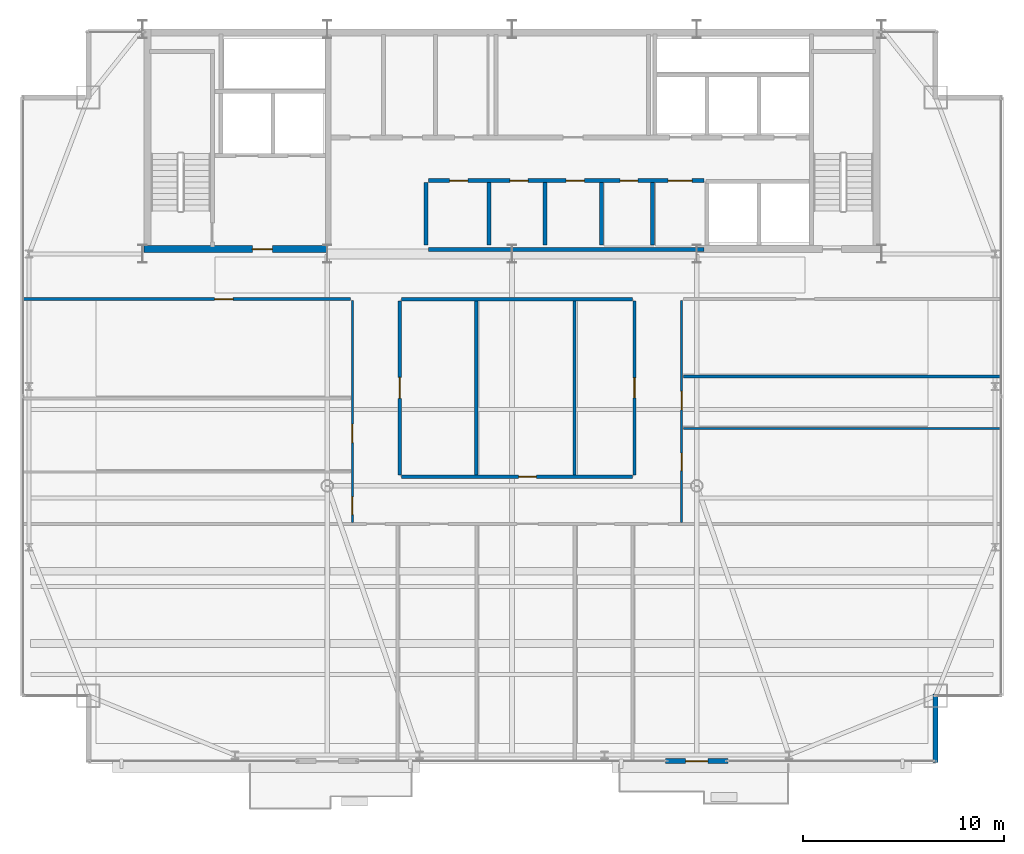
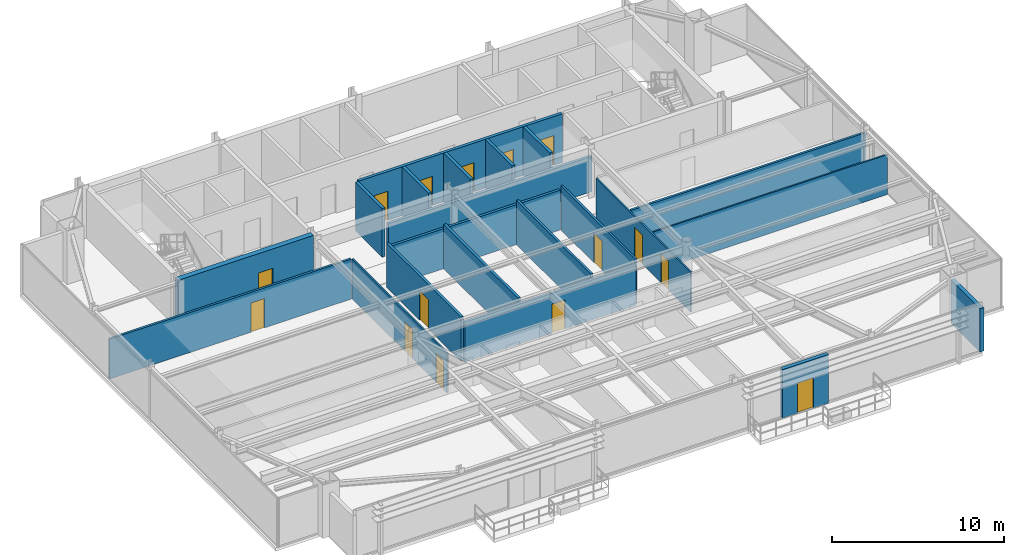
# One storey, part 24 of 28: 21 walls, 15 doors, 15 openings.
"""IFC4 building model written with IfcOpenShell, lengths in metres."""

from ifc_helpers import new_model, si_unit, direction, frame, frame_2d, origin, place, context, subcontext, project, spatial, rectangle, extrude, source, transform, mapped, material, layer, layer_set, type_object, type_shapes, element, fill, save


model = new_model("IFC4")

# Units and contexts
model_context = context("Model", 3, precision=1e-05, world=origin(), true_north=direction((0.0, 1.0)))
body_context = subcontext(model_context, "Body", "Model", "MODEL_VIEW")
ifc_project = project(units=[si_unit("LENGTHUNIT", "METRE"), si_unit("AREAUNIT", "SQUARE_METRE"), si_unit("VOLUMEUNIT", "CUBIC_METRE"), si_unit("PLANEANGLEUNIT", "RADIAN"), si_unit("MASSUNIT", "GRAM", prefix="KILO")], contexts=[model_context])

# Site, building, storey
site_placement = place(None, origin())
site = spatial("IfcSite", under=ifc_project, at=site_placement, CompositionType="ELEMENT")
building_placement = place(site_placement, origin())
building = spatial("IfcBuilding", under=site, at=building_placement, Name="Varnel Quay Broadcast Tower", CompositionType="ELEMENT")
storey_placement = place(building_placement, frame((0.0, 0.0, 230.199951171875)))
storey = spatial("IfcBuildingStorey", under=building, at=storey_placement, Name="L57", CompositionType="ELEMENT", Elevation=230.199951171875)

# Wall, opening, door
ifc_material_1 = material(Name="Concrete CSA A23.3 C50/60", Category="concrete")
ifc_layer_1 = layer(ifc_material_1, 0.35009765625, Name="Concrete CSA A23.3 C50/60")
ifc_layer_set_1 = layer_set([ifc_layer_1], Name="Concrete CSA A23.3 C50/60")
wall_type_1 = type_object("IfcWallType", Name="Wall_CoreShearInt350", PredefinedType="SHEAR", material=ifc_layer_set_1)
wall_1_placement = place(storey_placement, frame((15.669921875, 35.844970703125, 0.0), z_axis=(0.0, 0.0, 1.0), x_axis=(1.0, 0.0, 0.0)))
wall_1 = element("IfcWall", 1, at=wall_1_placement, inside=storey, type_object=wall_type_1, Name="L57 South-West Core Shear Wall", PredefinedType="SHEAR", context=body_context, shape_type="SweptSolid", body=[
    extrude(rectangle(XDim=9.130126953125, YDim=0.35009765625, at=frame_2d((4.56494140625, 0.0))), origin(), (0.0, 0.0, 1.0), 3.47998046875),
])
opening_1_placement = place(wall_1_placement, frame((5.39990234375, 0.0, 0.0)))
opening_1 = element("IfcOpeningElement", 2, at=opening_1_placement, cuts=wall_1, Name="Opening D-L57-FFL", PredefinedType="OPENING", context=body_context, shape_type="SweptSolid", body=[
    extrude(rectangle(XDim=1.0, YDim=2.10009765625, at=frame_2d((0.5, 1.050048828125))), frame((0.0, 0.18505859375, 0.0), z_axis=(0.0, -1.0, 0.0), x_axis=(1.0, 0.0, 0.0)), (0.0, 0.0, 1.0), 0.3701171875),
])
ifc_material_2 = material(Name="Insulated Fire-Rated Hollow Steel Door", Category="steel")
door_type_1 = type_object("IfcDoorType", Name="Door_FireLobby1000", OperationType="NOTDEFINED", PredefinedType="DOOR", material=ifc_material_2)
shared_shape_1 = source(origin(), body_context, "Body", "SweptSolid", [
    extrude(rectangle(XDim=1.0, YDim=2.10009765625, at=frame_2d((0.5, 1.050048828125))), frame((0.0, 0.02490234375, 0.0), z_axis=(0.0, -1.0, 0.0), x_axis=(1.0, 0.0, 0.0)), (0.0, 0.0, 1.0), 0.050048828125),
])
type_shapes(door_type_1, [shared_shape_1])
door_1_placement = place(opening_1_placement, origin())
door_1 = element("IfcDoor", 3, at=door_1_placement, inside=storey, type_object=door_type_1, Name="L57 Firefighting Lobby Door", OperationType="SINGLE_SWING_LEFT", OverallHeight=2.10009765625, OverallWidth=1.0, PredefinedType="DOOR", context=body_context, shape_type="MappedRepresentation", body=[
    mapped(shared_shape_1, transform((0.0, 0.0, 0.0), x_axis=(1.0, 0.0, 0.0), y_axis=(0.0, 1.0, 0.0), z_axis=(0.0, 0.0, 1.0), scale=1.0)),
])
fill(opening_1, door_1)

ifc_material_3 = material(Name="Precast Architectural Concrete C40/50", Category="concrete")
ifc_layer_2 = layer(ifc_material_3, 0.25, Name="Precast Architectural Concrete C40/50")
ifc_layer_set_2 = layer_set([ifc_layer_2], Name="Precast Architectural Concrete C40/50")
wall_type_2 = type_object("IfcWallType", Name="Wall_ExtTerrace250", PredefinedType="SOLIDWALL", material=ifc_layer_set_2)
wall_2_placement = place(storey_placement, frame((41.64990234375, 10.35009765625, 0.0), z_axis=(0.0, 0.0, 1.0), x_axis=(1.0, 0.0, 0.0)))
wall_2 = element("IfcWall", 4, at=wall_2_placement, inside=storey, type_object=wall_type_2, Name="L57 Terrace Access Wall 2", PredefinedType="SOLIDWALL", context=body_context, shape_type="SweptSolid", body=[
    extrude(rectangle(XDim=3.10009765625, YDim=0.25, at=frame_2d((1.550048828125, 0.0))), origin(), (0.0, 0.0, 1.0), 3.4599609375),
])
opening_2_placement = place(wall_2_placement, frame((1.0, 0.0, 0.0)))
opening_2 = element("IfcOpeningElement", 5, at=opening_2_placement, cuts=wall_2, Name="Opening TD-572", PredefinedType="OPENING", context=body_context, shape_type="SweptSolid", body=[
    extrude(rectangle(XDim=1.10009765625, YDim=2.14990234375, at=frame_2d((0.550048828125, 1.074951171875))), frame((0.0, 0.135009765625, 0.0), z_axis=(0.0, -1.0, 0.0), x_axis=(1.0, 0.0, 0.0)), (0.0, 0.0, 1.0), 0.27001953125),
])
ifc_material_4 = material(Name="Anodised Bronze Aluminium 6063-T6", Category="aluminium")
door_type_2 = type_object("IfcDoorType", Name="Door_ExtTerrace1100", OperationType="NOTDEFINED", PredefinedType="DOOR", material=ifc_material_4)
shared_shape_2 = source(origin(), body_context, "Body", "SweptSolid", [
    extrude(rectangle(XDim=1.10009765625, YDim=2.14990234375, at=frame_2d((0.550048828125, 1.074951171875))), frame((0.0, 0.02490234375, 0.0), z_axis=(0.0, -1.0, 0.0), x_axis=(1.0, 0.0, 0.0)), (0.0, 0.0, 1.0), 0.050048828125),
])
type_shapes(door_type_2, [shared_shape_2])
door_2_placement = place(opening_2_placement, frame((1.10009765625, 0.0, 0.0), z_axis=(0.0, 0.0, 1.0), x_axis=(-1.0, 0.0, 0.0)))
door_2 = element("IfcDoor", 6, at=door_2_placement, inside=storey, type_object=door_type_2, Name="L57 Terrace Door TD-572", OperationType="SINGLE_SWING_RIGHT", OverallHeight=2.14990234375, OverallWidth=1.10009765625, PredefinedType="DOOR", context=body_context, shape_type="MappedRepresentation", body=[
    mapped(shared_shape_2, transform((0.0, 0.0, 0.0), x_axis=(1.0, 0.0, 0.0), y_axis=(0.0, 1.0, 0.0), z_axis=(0.0, 0.0, 1.0), scale=1.0)),
])
fill(opening_2, door_2)

# Walls
wall_3_placement = place(storey_placement, frame((55.10009765625, 10.280029296875, 0.0), z_axis=(0.0, 0.0, 1.0), x_axis=(0.0, 1.0, 0.0)))
element("IfcWall", 7, at=wall_3_placement, inside=storey, type_object=wall_type_2, Name="L57 Mega-Column Notch Cladding Wall NSE2", PredefinedType="SOLIDWALL", context=body_context, shape_type="SweptSolid", body=[
    extrude(rectangle(XDim=3.39990234375, YDim=0.25, at=frame_2d((1.699951171875, 0.0))), origin(), (0.0, 0.0, 1.0), 3.10107421875),
])
ifc_material_5 = material(Name="Concrete Blockwork Fire Enclosure C40/50", Category="masonry")
ifc_layer_3 = layer(ifc_material_5, 0.199951171875, Name="Concrete Blockwork Fire Enclosure C40/50")
ifc_layer_set_3 = layer_set([ifc_layer_3], Name="Concrete Blockwork Fire Enclosure C40/50")
wall_type_3 = type_object("IfcWallType", Name="Wall_FireShaft200", PredefinedType="SOLIDWALL", material=ifc_layer_set_3)
wall_4_placement = place(storey_placement, frame((29.85009765625, 35.824951171875, 0.0), z_axis=(0.0, 0.0, 1.0), x_axis=(1.0, 0.0, 0.0)))
element("IfcWall", 8, at=wall_4_placement, inside=storey, type_object=wall_type_3, Name="L57 Accessible Washroom Partition 1", PredefinedType="SOLIDWALL", context=body_context, shape_type="SweptSolid", body=[
    extrude(rectangle(XDim=13.699951171875, YDim=0.199951171875, at=frame_2d((6.85009765625, 0.0))), origin(), (0.0, 0.0, 1.0), 2.505126953125),
])

# Wall, openings, doors
wall_5_placement = place(storey_placement, frame((29.85009765625, 39.25, 0.0), z_axis=(0.0, 0.0, 1.0), x_axis=(1.0, 0.0, 0.0)))
wall_5 = element("IfcWall", 9, at=wall_5_placement, inside=storey, type_object=wall_type_3, Name="L57 Accessible Washroom Partition 3", PredefinedType="SOLIDWALL", context=body_context, shape_type="SweptSolid", body=[
    extrude(rectangle(XDim=13.699951171875, YDim=0.199951171875, at=frame_2d((6.85009765625, 0.0))), origin(), (0.0, 0.0, 1.0), 3.4599609375),
])
opening_3_placement = place(wall_5_placement, frame((1.050048828125, 0.0, 0.0)))
opening_3 = element("IfcOpeningElement", 10, at=opening_3_placement, cuts=wall_5, Name="Opening D-L57-01", PredefinedType="OPENING", context=body_context, shape_type="SweptSolid", body=[
    extrude(rectangle(XDim=0.89990234375, YDim=2.06005859375, at=frame_2d((0.449951171875, 1.030029296875))), frame((0.0, 0.10986328125, 0.0), z_axis=(0.0, -1.0, 0.0), x_axis=(1.0, 0.0, 0.0)), (0.0, 0.0, 1.0), 0.219970703125),
])
opening_4_placement = place(wall_5_placement, frame((4.050048828125, 0.0, 0.0)))
opening_4 = element("IfcOpeningElement", 11, at=opening_4_placement, cuts=wall_5, Name="Opening D-L57-02", PredefinedType="OPENING", context=body_context, shape_type="SweptSolid", body=[
    extrude(rectangle(XDim=0.89990234375, YDim=2.06005859375, at=frame_2d((0.449951171875, 1.030029296875))), frame((0.0, 0.10986328125, 0.0), z_axis=(0.0, -1.0, 0.0), x_axis=(1.0, 0.0, 0.0)), (0.0, 0.0, 1.0), 0.219970703125),
])
opening_5_placement = place(wall_5_placement, frame((6.85009765625, 0.0, 0.0)))
opening_5 = element("IfcOpeningElement", 12, at=opening_5_placement, cuts=wall_5, Name="Opening D-L57-03", PredefinedType="OPENING", context=body_context, shape_type="SweptSolid", body=[
    extrude(rectangle(XDim=0.89990234375, YDim=2.06005859375, at=frame_2d((0.449951171875, 1.030029296875))), frame((0.0, 0.10986328125, 0.0), z_axis=(0.0, -1.0, 0.0), x_axis=(1.0, 0.0, 0.0)), (0.0, 0.0, 1.0), 0.219970703125),
])
opening_6_placement = place(wall_5_placement, frame((9.534912109375, 0.0, 0.0)))
opening_6 = element("IfcOpeningElement", 13, at=opening_6_placement, cuts=wall_5, Name="Opening D-L57-04", PredefinedType="OPENING", context=body_context, shape_type="SweptSolid", body=[
    extrude(rectangle(XDim=0.8798828125, YDim=2.06005859375, at=frame_2d((0.43994140625, 1.030029296875))), frame((0.0, 0.10986328125, 0.0), z_axis=(0.0, -1.0, 0.0), x_axis=(1.0, 0.0, 0.0)), (0.0, 0.0, 1.0), 0.219970703125),
])
opening_7_placement = place(wall_5_placement, frame((11.925048828125, 0.0, 0.0)))
opening_7 = element("IfcOpeningElement", 14, at=opening_7_placement, cuts=wall_5, Name="Opening D-L57-05", PredefinedType="OPENING", context=body_context, shape_type="SweptSolid", body=[
    extrude(rectangle(XDim=1.199951171875, YDim=2.10009765625, at=frame_2d((0.60009765625, 1.050048828125))), frame((0.0, 0.10986328125, 0.0), z_axis=(0.0, -1.0, 0.0), x_axis=(1.0, 0.0, 0.0)), (0.0, 0.0, 1.0), 0.219970703125),
])
ifc_material_6 = material(Name="Solid-Core Fire-Rated Acoustic Oak Veneer Door", Category="wood")
door_type_3 = type_object("IfcDoorType", Name="Door_Washroom900", OperationType="NOTDEFINED", PredefinedType="DOOR", material=ifc_material_6)
shared_shape_3 = source(origin(), body_context, "Body", "SweptSolid", [
    extrude(rectangle(XDim=0.89990234375, YDim=2.06005859375, at=frame_2d((0.449951171875, 1.030029296875))), frame((0.0, 0.02490234375, 0.0), z_axis=(0.0, -1.0, 0.0), x_axis=(1.0, 0.0, 0.0)), (0.0, 0.0, 1.0), 0.050048828125),
])
type_shapes(door_type_3, [shared_shape_3])
door_3_placement = place(opening_3_placement, frame((0.89990234375, 0.0, 0.0), z_axis=(0.0, 0.0, 1.0), x_axis=(-1.0, 0.0, 0.0)))
door_3 = element("IfcDoor", 15, at=door_3_placement, inside=storey, type_object=door_type_3, Name="L57 Accessible Washroom Door D-L57-01", OperationType="SINGLE_SWING_LEFT", OverallHeight=2.06005859375, OverallWidth=0.89990234375, PredefinedType="DOOR", context=body_context, shape_type="MappedRepresentation", body=[
    mapped(shared_shape_3, transform((0.0, 0.0, 0.0), x_axis=(1.0, 0.0, 0.0), y_axis=(0.0, 1.0, 0.0), z_axis=(0.0, 0.0, 1.0), scale=1.0)),
])
fill(opening_3, door_3)
door_4_placement = place(opening_4_placement, frame((0.89990234375, 0.0, 0.0), z_axis=(0.0, 0.0, 1.0), x_axis=(-1.0, 0.0, 0.0)))
door_4 = element("IfcDoor", 16, at=door_4_placement, inside=storey, type_object=door_type_3, Name="L57 West Gender-Neutral Washroom Door D-L57-02", OperationType="SINGLE_SWING_RIGHT", OverallHeight=2.06005859375, OverallWidth=0.89990234375, PredefinedType="DOOR", context=body_context, shape_type="MappedRepresentation", body=[
    mapped(shared_shape_3, transform((0.0, 0.0, 0.0), x_axis=(1.0, 0.0, 0.0), y_axis=(0.0, 1.0, 0.0), z_axis=(0.0, 0.0, 1.0), scale=1.0)),
])
fill(opening_4, door_4)
door_5_placement = place(opening_5_placement, frame((0.89990234375, 0.0, 0.0), z_axis=(0.0, 0.0, 1.0), x_axis=(-1.0, 0.0, 0.0)))
door_5 = element("IfcDoor", 17, at=door_5_placement, inside=storey, type_object=door_type_3, Name="L57 East Staff Washroom Door D-L57-03", OperationType="SINGLE_SWING_LEFT", OverallHeight=2.06005859375, OverallWidth=0.89990234375, PredefinedType="DOOR", context=body_context, shape_type="MappedRepresentation", body=[
    mapped(shared_shape_3, transform((0.0, 0.0, 0.0), x_axis=(1.0, 0.0, 0.0), y_axis=(0.0, 1.0, 0.0), z_axis=(0.0, 0.0, 1.0), scale=1.0)),
])
fill(opening_5, door_5)
door_type_4 = type_object("IfcDoorType", Name="Door_Plant1200", OperationType="NOTDEFINED", PredefinedType="DOOR", material=ifc_material_2)
shared_shape_4 = source(origin(), body_context, "Body", "SweptSolid", [
    extrude(rectangle(XDim=1.199951171875, YDim=2.10009765625, at=frame_2d((0.60009765625, 1.050048828125))), frame((0.0, 0.02490234375, 0.0), z_axis=(0.0, -1.0, 0.0), x_axis=(1.0, 0.0, 0.0)), (0.0, 0.0, 1.0), 0.050048828125),
])
type_shapes(door_type_4, [shared_shape_4])
door_6_placement = place(opening_7_placement, origin())
door_6 = element("IfcDoor", 18, at=door_6_placement, inside=storey, type_object=door_type_4, Name="L57 Telecom IDF Closet Door D-L57-05", OperationType="SINGLE_SWING_LEFT", OverallHeight=2.10009765625, OverallWidth=1.199951171875, PredefinedType="DOOR", context=body_context, shape_type="MappedRepresentation", body=[
    mapped(shared_shape_4, transform((0.0, 0.0, 0.0), x_axis=(1.0, 0.0, 0.0), y_axis=(0.0, 1.0, 0.0), z_axis=(0.0, 0.0, 1.0), scale=1.0)),
])
fill(opening_7, door_6)
door_type_5 = type_object("IfcDoorType", Name="Door_Booth880", OperationType="NOTDEFINED", PredefinedType="DOOR", material=ifc_material_6)
shared_shape_5 = source(origin(), body_context, "Body", "SweptSolid", [
    extrude(rectangle(XDim=0.8798828125, YDim=2.06005859375, at=frame_2d((0.43994140625, 1.030029296875))), frame((0.0, 0.02490234375, 0.0), z_axis=(0.0, -1.0, 0.0), x_axis=(1.0, 0.0, 0.0)), (0.0, 0.0, 1.0), 0.050048828125),
])
type_shapes(door_type_5, [shared_shape_5])
door_7_placement = place(opening_6_placement, frame((0.8798828125, 0.0, 0.0), z_axis=(0.0, 0.0, 1.0), x_axis=(-1.0, 0.0, 0.0)))
door_7 = element("IfcDoor", 19, at=door_7_placement, inside=storey, type_object=door_type_5, Name="L57 Cleaners' & Linen Store Door D-L57-04", OperationType="SINGLE_SWING_RIGHT", OverallHeight=2.06005859375, OverallWidth=0.8798828125, PredefinedType="DOOR", context=body_context, shape_type="MappedRepresentation", body=[
    mapped(shared_shape_5, transform((0.0, 0.0, 0.0), x_axis=(1.0, 0.0, 0.0), y_axis=(0.0, 1.0, 0.0), z_axis=(0.0, 0.0, 1.0), scale=1.0)),
])
fill(opening_6, door_7)

# Wall
wall_6_placement = place(storey_placement, frame((41.0, 36.050048828125, 0.0), z_axis=(0.0, 0.0, 1.0), x_axis=(0.0, 1.0, 0.0)))
element("IfcWall", 20, at=wall_6_placement, inside=storey, type_object=wall_type_3, Name="L57 Cleaners' & Linen Store Partition 7", PredefinedType="SOLIDWALL", context=body_context, shape_type="SweptSolid", body=[
    extrude(rectangle(XDim=3.099853515625, YDim=0.199951171875, at=frame_2d((1.5498046875, 0.0))), origin(), (0.0, 0.0, 1.0), 3.4599609375),
])

# Wall, openings, doors
ifc_material_7 = material(Name="Steel-Stud Fire-Rated Acoustic Gypsum Partition Assembly", Category="steel")
ifc_layer_4 = layer(ifc_material_7, 0.10498046875, Name="Steel-Stud Fire-Rated Acoustic Gypsum Partition Assembly")
ifc_layer_set_4 = layer_set([ifc_layer_4], Name="Steel-Stud Fire-Rated Acoustic Gypsum Partition Assembly")
wall_type_4 = type_object("IfcWallType", Name="Wall_Partition105", PredefinedType="PARTITIONING", material=ifc_layer_set_4)
wall_7_placement = place(storey_placement, frame((26.050048828125, 22.235107421875, 0.0), z_axis=(0.0, 0.0, 1.0), x_axis=(0.0, 1.0, 0.0)))
wall_7 = element("IfcWall", 21, at=wall_7_placement, inside=storey, type_object=wall_type_4, Name="L57 Camera Locker Store 6 Partition 13", PredefinedType="PARTITIONING", context=body_context, shape_type="SweptSolid", body=[
    extrude(rectangle(XDim=11.039794921875, YDim=0.10498046875, at=frame_2d((5.52001953125, 0.0))), origin(), (0.0, 0.0, 1.0), 2.838134765625),
])
opening_8_placement = place(wall_7_placement, frame((0.385009765625, 0.0, 0.0)))
opening_8 = element("IfcOpeningElement", 22, at=opening_8_placement, cuts=wall_7, Name="Opening D-L57-11", PredefinedType="OPENING", context=body_context, shape_type="SweptSolid", body=[
    extrude(rectangle(XDim=0.8798828125, YDim=2.06005859375, at=frame_2d((0.43994140625, 1.030029296875))), frame((0.0, 0.0625, 0.0), z_axis=(0.0, -1.0, 0.0), x_axis=(1.0, 0.0, 0.0)), (0.0, 0.0, 1.0), 0.125),
])
opening_9_placement = place(wall_7_placement, frame((3.97509765625, 0.0, 0.0)))
opening_9 = element("IfcOpeningElement", 23, at=opening_9_placement, cuts=wall_7, Name="Opening D-L57-12", PredefinedType="OPENING", context=body_context, shape_type="SweptSolid", body=[
    extrude(rectangle(XDim=0.919921875, YDim=2.080078125, at=frame_2d((0.4599609375, 1.0400390625))), frame((0.0, 0.0625, 0.0), z_axis=(0.0, -1.0, 0.0), x_axis=(1.0, 0.0, 0.0)), (0.0, 0.0, 1.0), 0.125),
])
door_8_placement = place(opening_8_placement, origin())
door_8 = element("IfcDoor", 24, at=door_8_placement, inside=storey, type_object=door_type_5, Name="L57 Camera Locker Store 6 Door D-L57-11", OperationType="SINGLE_SWING_LEFT", OverallHeight=2.06005859375, OverallWidth=0.8798828125, PredefinedType="DOOR", context=body_context, shape_type="MappedRepresentation", body=[
    mapped(shared_shape_5, transform((0.0, 0.0, 0.0), x_axis=(1.0, 0.0, 0.0), y_axis=(0.0, 1.0, 0.0), z_axis=(0.0, 0.0, 1.0), scale=1.0)),
])
fill(opening_8, door_8)
door_type_6 = type_object("IfcDoorType", Name="Door_Office920", OperationType="NOTDEFINED", PredefinedType="DOOR", material=ifc_material_6)
shared_shape_6 = source(origin(), body_context, "Body", "SweptSolid", [
    extrude(rectangle(XDim=0.919921875, YDim=2.080078125, at=frame_2d((0.4599609375, 1.0400390625))), frame((0.0, 0.02490234375, 0.0), z_axis=(0.0, -1.0, 0.0), x_axis=(1.0, 0.0, 0.0)), (0.0, 0.0, 1.0), 0.050048828125),
])
type_shapes(door_type_6, [shared_shape_6])
door_9_placement = place(opening_9_placement, origin())
door_9 = element("IfcDoor", 25, at=door_9_placement, inside=storey, type_object=door_type_6, Name="L57 Broadcast Newsroom 7 Door D-L57-12", OperationType="SINGLE_SWING_RIGHT", OverallHeight=2.080078125, OverallWidth=0.919921875, PredefinedType="DOOR", context=body_context, shape_type="MappedRepresentation", body=[
    mapped(shared_shape_6, transform((0.0, 0.0, 0.0), x_axis=(1.0, 0.0, 0.0), y_axis=(0.0, 1.0, 0.0), z_axis=(0.0, 0.0, 1.0), scale=1.0)),
])
fill(opening_9, door_9)

# Wall
wall_8_placement = place(storey_placement, frame((42.550048828125, 26.909912109375, 0.0), z_axis=(0.0, 0.0, 1.0), x_axis=(1.0, 0.0, 0.0)))
element("IfcWall", 26, at=wall_8_placement, inside=storey, type_object=wall_type_4, Name="L57 Camera Locker Store 12 Partition 23", PredefinedType="PARTITIONING", context=body_context, shape_type="SweptSolid", body=[
    extrude(rectangle(XDim=15.77001953125, YDim=0.10498046875, at=frame_2d((7.885009765625, 0.0))), origin(), (0.0, 0.0, 1.0), 2.838134765625),
])

# Wall, openings, doors
wall_9_placement = place(storey_placement, frame((42.449951171875, 22.235107421875, 0.0), z_axis=(0.0, 0.0, 1.0), x_axis=(0.0, 1.0, 0.0)))
wall_9 = element("IfcWall", 27, at=wall_9_placement, inside=storey, type_object=wall_type_4, Name="L57 Camera Locker Store 12 Partition 24", PredefinedType="PARTITIONING", context=body_context, shape_type="SweptSolid", body=[
    extrude(rectangle(XDim=11.039794921875, YDim=0.10498046875, at=frame_2d((5.52001953125, 0.0))), origin(), (0.0, 0.0, 1.0), 2.838134765625),
])
opening_10_placement = place(wall_9_placement, frame((2.570068359375, 0.0, 0.0)))
opening_10 = element("IfcOpeningElement", 28, at=opening_10_placement, cuts=wall_9, Name="Opening D-L57-17", PredefinedType="OPENING", context=body_context, shape_type="SweptSolid", body=[
    extrude(rectangle(XDim=0.8798828125, YDim=2.06005859375, at=frame_2d((0.43994140625, 1.030029296875))), frame((0.0, 0.0625, 0.0), z_axis=(0.0, -1.0, 0.0), x_axis=(1.0, 0.0, 0.0)), (0.0, 0.0, 1.0), 0.125),
])
opening_11_placement = place(wall_9_placement, frame((5.60498046875, 0.0, 0.0)))
opening_11 = element("IfcOpeningElement", 29, at=opening_11_placement, cuts=wall_9, Name="Opening D-L57-18", PredefinedType="OPENING", context=body_context, shape_type="SweptSolid", body=[
    extrude(rectangle(XDim=0.919921875, YDim=2.080078125, at=frame_2d((0.4599609375, 1.0400390625))), frame((0.0, 0.0625, 0.0), z_axis=(0.0, -1.0, 0.0), x_axis=(1.0, 0.0, 0.0)), (0.0, 0.0, 1.0), 0.125),
])
door_10_placement = place(opening_10_placement, frame((0.8798828125, 0.0, 0.0), z_axis=(0.0, 0.0, 1.0), x_axis=(-1.0, 0.0, 0.0)))
door_10 = element("IfcDoor", 30, at=door_10_placement, inside=storey, type_object=door_type_5, Name="L57 Camera Locker Store 12 Door D-L57-17", OperationType="SINGLE_SWING_LEFT", OverallHeight=2.06005859375, OverallWidth=0.8798828125, PredefinedType="DOOR", context=body_context, shape_type="MappedRepresentation", body=[
    mapped(shared_shape_5, transform((0.0, 0.0, 0.0), x_axis=(1.0, 0.0, 0.0), y_axis=(0.0, 1.0, 0.0), z_axis=(0.0, 0.0, 1.0), scale=1.0)),
])
fill(opening_10, door_10)
door_11_placement = place(opening_11_placement, frame((0.919921875, 0.0, 0.0), z_axis=(0.0, 0.0, 1.0), x_axis=(-1.0, 0.0, 0.0)))
door_11 = element("IfcDoor", 31, at=door_11_placement, inside=storey, type_object=door_type_6, Name="L57 Broadcast Newsroom 13 Door D-L57-18", OperationType="SINGLE_SWING_RIGHT", OverallHeight=2.080078125, OverallWidth=0.919921875, PredefinedType="DOOR", context=body_context, shape_type="MappedRepresentation", body=[
    mapped(shared_shape_6, transform((0.0, 0.0, 0.0), x_axis=(1.0, 0.0, 0.0), y_axis=(0.0, 1.0, 0.0), z_axis=(0.0, 0.0, 1.0), scale=1.0)),
])
fill(opening_11, door_11)

# Wall, opening, door
ifc_layer_5 = layer(ifc_material_7, 0.139892578125, Name="Steel-Stud Fire-Rated Acoustic Gypsum Partition Assembly")
ifc_layer_set_5 = layer_set([ifc_layer_5], Name="Steel-Stud Fire-Rated Acoustic Gypsum Partition Assembly")
wall_type_5 = type_object("IfcWallType", Name="Wall_Partition140", PredefinedType="PARTITIONING", material=ifc_layer_set_5)
wall_10_placement = place(storey_placement, frame((40.10009765625, 24.597900390625, 0.0), z_axis=(0.0, 0.0, 1.0), x_axis=(0.0, 1.0, 0.0)))
wall_10 = element("IfcWall", 32, at=wall_10_placement, inside=storey, type_object=wall_type_5, Name="L57 Press Green Lounge 11 Partition 22", PredefinedType="PARTITIONING", context=body_context, shape_type="SweptSolid", body=[
    extrude(rectangle(XDim=8.6650390625, YDim=0.139892578125, at=frame_2d((4.33251953125, 0.0))), origin(), (0.0, 0.0, 1.0), 3.152099609375),
])
opening_12_placement = place(wall_10_placement, frame((3.83203125, 0.0, 0.0)))
opening_12 = element("IfcOpeningElement", 33, at=opening_12_placement, cuts=wall_10, Name="Opening D-L57-16", PredefinedType="OPENING", context=body_context, shape_type="SweptSolid", body=[
    extrude(rectangle(XDim=1.0, YDim=2.10009765625, at=frame_2d((0.5, 1.050048828125))), frame((0.0, 0.080078125, 0.0), z_axis=(0.0, -1.0, 0.0), x_axis=(1.0, 0.0, 0.0)), (0.0, 0.0, 1.0), 0.159912109375),
])
door_type_7 = type_object("IfcDoorType", Name="Door_Exec1000", OperationType="NOTDEFINED", PredefinedType="DOOR", material=ifc_material_6)
shared_shape_7 = source(origin(), body_context, "Body", "SweptSolid", [
    extrude(rectangle(XDim=1.0, YDim=2.10009765625, at=frame_2d((0.5, 1.050048828125))), frame((0.0, 0.02490234375, 0.0), z_axis=(0.0, -1.0, 0.0), x_axis=(1.0, 0.0, 0.0)), (0.0, 0.0, 1.0), 0.050048828125),
])
type_shapes(door_type_7, [shared_shape_7])
door_12_placement = place(opening_12_placement, origin())
door_12 = element("IfcDoor", 34, at=door_12_placement, inside=storey, type_object=door_type_7, Name="L57 Press Green Lounge 11 Door D-L57-16", OperationType="SINGLE_SWING_RIGHT", OverallHeight=2.10009765625, OverallWidth=1.0, PredefinedType="DOOR", context=body_context, shape_type="MappedRepresentation", body=[
    mapped(shared_shape_7, transform((0.0, 0.0, 0.0), x_axis=(1.0, 0.0, 0.0), y_axis=(0.0, 1.0, 0.0), z_axis=(0.0, 0.0, 1.0), scale=1.0)),
])
fill(opening_12, door_12)

ifc_layer_6 = layer(ifc_material_7, 0.14990234375, Name="Steel-Stud Fire-Rated Acoustic Gypsum Partition Assembly")
ifc_layer_set_6 = layer_set([ifc_layer_6], Name="Steel-Stud Fire-Rated Acoustic Gypsum Partition Assembly")
wall_type_6 = type_object("IfcWallType", Name="Wall_Partition150", PredefinedType="PARTITIONING", material=ifc_layer_set_6)
wall_11_placement = place(storey_placement, frame((9.679931640625, 33.35009765625, 0.0), z_axis=(0.0, 0.0, 1.0), x_axis=(1.0, 0.0, 0.0)))
wall_11 = element("IfcWall", 35, at=wall_11_placement, inside=storey, type_object=wall_type_6, Name="L57 Assignment Desk 8 Partition 16", PredefinedType="PARTITIONING", context=body_context, shape_type="SweptSolid", body=[
    extrude(rectangle(XDim=16.27001953125, YDim=0.14990234375, at=frame_2d((8.135009765625, 0.0))), origin(), (0.0, 0.0, 1.0), 2.838134765625),
])
opening_13_placement = place(wall_11_placement, frame((9.510009765625, 0.0, 0.0)))
opening_13 = element("IfcOpeningElement", 36, at=opening_13_placement, cuts=wall_11, Name="Opening D-L57-13", PredefinedType="OPENING", context=body_context, shape_type="SweptSolid", body=[
    extrude(rectangle(XDim=0.919921875, YDim=2.080078125, at=frame_2d((0.4599609375, 1.0400390625))), frame((0.0, 0.0849609375, 0.0), z_axis=(0.0, -1.0, 0.0), x_axis=(1.0, 0.0, 0.0)), (0.0, 0.0, 1.0), 0.169921875),
])
door_13_placement = place(opening_13_placement, frame((0.919921875, 0.0, 0.0), z_axis=(0.0, 0.0, 1.0), x_axis=(-1.0, 0.0, 0.0)))
door_13 = element("IfcDoor", 37, at=door_13_placement, inside=storey, type_object=door_type_6, Name="L57 Assignment Desk 8 Door D-L57-13", OperationType="SINGLE_SWING_LEFT", OverallHeight=2.080078125, OverallWidth=0.919921875, PredefinedType="DOOR", context=body_context, shape_type="MappedRepresentation", body=[
    mapped(shared_shape_6, transform((0.0, 0.0, 0.0), x_axis=(1.0, 0.0, 0.0), y_axis=(0.0, 1.0, 0.0), z_axis=(0.0, 0.0, 1.0), scale=1.0)),
])
fill(opening_13, door_13)

# Walls
wall_12_placement = place(storey_placement, frame((37.1201171875, 24.597900390625, 0.0), z_axis=(0.0, 0.0, 1.0), x_axis=(0.0, 1.0, 0.0)))
element("IfcWall", 38, at=wall_12_placement, inside=storey, type_object=wall_type_6, Name="L57 Break Kitchen 10 Partition 21", PredefinedType="PARTITIONING", context=body_context, shape_type="SweptSolid", body=[
    extrude(rectangle(XDim=8.6650390625, YDim=0.14990234375, at=frame_2d((4.33251953125, 0.0))), origin(), (0.0, 0.0, 1.0), 3.152099609375),
])
wall_13_placement = place(storey_placement, frame((42.550048828125, 29.489990234375, 0.0), z_axis=(0.0, 0.0, 1.0), x_axis=(1.0, 0.0, 0.0)))
element("IfcWall", 39, at=wall_13_placement, inside=storey, type_object=wall_type_6, Name="L57 Broadcast Newsroom 13 Partition 25", PredefinedType="PARTITIONING", context=body_context, shape_type="SweptSolid", body=[
    extrude(rectangle(XDim=15.77001953125, YDim=0.14990234375, at=frame_2d((7.885009765625, 0.0))), origin(), (0.0, 0.0, 1.0), 2.838134765625),
])

# Wall, opening, door
ifc_layer_7 = layer(ifc_material_7, 0.175048828125, Name="Steel-Stud Fire-Rated Acoustic Gypsum Partition Assembly")
ifc_layer_set_7 = layer_set([ifc_layer_7], Name="Steel-Stud Fire-Rated Acoustic Gypsum Partition Assembly")
wall_type_7 = type_object("IfcWallType", Name="Wall_Partition175", PredefinedType="PARTITIONING", material=ifc_layer_set_7)
wall_14_placement = place(storey_placement, frame((28.5, 24.510009765625, 0.0), z_axis=(0.0, 0.0, 1.0), x_axis=(1.0, 0.0, 0.0)))
wall_14 = element("IfcWall", 40, at=wall_14_placement, inside=storey, type_object=wall_type_7, Name="L57 Editorial Boardroom 9 Partition 17", PredefinedType="PARTITIONING", context=body_context, shape_type="SweptSolid", body=[
    extrude(rectangle(XDim=11.5, YDim=0.175048828125, at=frame_2d((5.75, 0.0))), origin(), (0.0, 0.0, 1.0), 2.838134765625),
])
opening_14_placement = place(wall_14_placement, frame((5.8349609375, 0.0, 0.0)))
opening_14 = element("IfcOpeningElement", 41, at=opening_14_placement, cuts=wall_14, Name="Opening D-L57-15", PredefinedType="OPENING", context=body_context, shape_type="SweptSolid", body=[
    extrude(rectangle(XDim=0.8798828125, YDim=2.06005859375, at=frame_2d((0.43994140625, 1.030029296875))), frame((0.0, 0.09765625, 0.0), z_axis=(0.0, -1.0, 0.0), x_axis=(1.0, 0.0, 0.0)), (0.0, 0.0, 1.0), 0.195068359375),
])
door_14_placement = place(opening_14_placement, origin())
door_14 = element("IfcDoor", 42, at=door_14_placement, inside=storey, type_object=door_type_5, Name="L57 Break Kitchen 10 Door D-L57-15", OperationType="SINGLE_SWING_LEFT", OverallHeight=2.06005859375, OverallWidth=0.8798828125, PredefinedType="DOOR", context=body_context, shape_type="MappedRepresentation", body=[
    mapped(shared_shape_5, transform((0.0, 0.0, 0.0), x_axis=(1.0, 0.0, 0.0), y_axis=(0.0, 1.0, 0.0), z_axis=(0.0, 0.0, 1.0), scale=1.0)),
])
fill(opening_14, door_14)

# Walls
wall_15_placement = place(storey_placement, frame((32.22998046875, 24.597900390625, 0.0), z_axis=(0.0, 0.0, 1.0), x_axis=(0.0, 1.0, 0.0)))
element("IfcWall", 43, at=wall_15_placement, inside=storey, type_object=wall_type_7, Name="L57 Editorial Boardroom 9 Partition 18", PredefinedType="PARTITIONING", context=body_context, shape_type="SweptSolid", body=[
    extrude(rectangle(XDim=8.6650390625, YDim=0.175048828125, at=frame_2d((4.33251953125, 0.0))), origin(), (0.0, 0.0, 1.0), 3.152099609375),
])
wall_16_placement = place(storey_placement, frame((28.5, 33.35009765625, 0.0), z_axis=(0.0, 0.0, 1.0), x_axis=(1.0, 0.0, 0.0)))
element("IfcWall", 44, at=wall_16_placement, inside=storey, type_object=wall_type_7, Name="L57 Editorial Boardroom 9 Partition 19", PredefinedType="PARTITIONING", context=body_context, shape_type="SweptSolid", body=[
    extrude(rectangle(XDim=11.5, YDim=0.175048828125, at=frame_2d((5.75, 0.0))), origin(), (0.0, 0.0, 1.0), 2.838134765625),
])

# Wall, opening, door
wall_17_placement = place(storey_placement, frame((28.39990234375, 24.597900390625, 0.0), z_axis=(0.0, 0.0, 1.0), x_axis=(0.0, 1.0, 0.0)))
wall_17 = element("IfcWall", 45, at=wall_17_placement, inside=storey, type_object=wall_type_7, Name="L57 Editorial Boardroom 9 Partition 20", PredefinedType="PARTITIONING", context=body_context, shape_type="SweptSolid", body=[
    extrude(rectangle(XDim=8.6650390625, YDim=0.175048828125, at=frame_2d((4.33251953125, 0.0))), origin(), (0.0, 0.0, 1.0), 3.152099609375),
])
opening_15_placement = place(wall_17_placement, frame((3.806884765625, 0.0, 0.0)))
opening_15 = element("IfcOpeningElement", 46, at=opening_15_placement, cuts=wall_17, Name="Opening D-L57-14", PredefinedType="OPENING", context=body_context, shape_type="SweptSolid", body=[
    extrude(rectangle(XDim=1.050048828125, YDim=2.10009765625, at=frame_2d((0.52490234375, 1.050048828125))), frame((0.0, 0.09765625, 0.0), z_axis=(0.0, -1.0, 0.0), x_axis=(1.0, 0.0, 0.0)), (0.0, 0.0, 1.0), 0.195068359375),
])
door_type_8 = type_object("IfcDoorType", Name="Door_Meeting1050", OperationType="NOTDEFINED", PredefinedType="DOOR", material=ifc_material_6)
shared_shape_8 = source(origin(), body_context, "Body", "SweptSolid", [
    extrude(rectangle(XDim=1.050048828125, YDim=2.10009765625, at=frame_2d((0.52490234375, 1.050048828125))), frame((0.0, 0.02490234375, 0.0), z_axis=(0.0, -1.0, 0.0), x_axis=(1.0, 0.0, 0.0)), (0.0, 0.0, 1.0), 0.050048828125),
])
type_shapes(door_type_8, [shared_shape_8])
door_15_placement = place(opening_15_placement, frame((1.050048828125, 0.0, 0.0), z_axis=(0.0, 0.0, 1.0), x_axis=(-1.0, 0.0, 0.0)))
door_15 = element("IfcDoor", 47, at=door_15_placement, inside=storey, type_object=door_type_8, Name="L57 Editorial Boardroom 9 Door D-L57-14", OperationType="SINGLE_SWING_RIGHT", OverallHeight=2.10009765625, OverallWidth=1.050048828125, PredefinedType="DOOR", context=body_context, shape_type="MappedRepresentation", body=[
    mapped(shared_shape_8, transform((0.0, 0.0, 0.0), x_axis=(1.0, 0.0, 0.0), y_axis=(0.0, 1.0, 0.0), z_axis=(0.0, 0.0, 1.0), scale=1.0)),
])
fill(opening_15, door_15)

# Walls
ifc_material_8 = material(Name="Fire-Rated Moisture-Resistant Plumbing Chase Partition")
ifc_layer_8 = layer(ifc_material_8, 0.199951171875, Name="Fire-Rated Moisture-Resistant Plumbing Chase Partition")
ifc_layer_set_8 = layer_set([ifc_layer_8], Name="Fire-Rated Moisture-Resistant Plumbing Chase Partition")
wall_type_8 = type_object("IfcWallType", Name="Wall_Plumbing200", PredefinedType="PLUMBINGWALL", material=ifc_layer_set_8)
for number, where, z_axis, x_axis, name in (
    (48, (32.85009765625, 36.050048828125, 0.0), (0.0, 0.0, 1.0), (0.0, 1.0, 0.0), "L57 Accessible Washroom Partition 2"),
    (49, (29.72509765625, 36.050048828125, 0.0), (0.0, 0.0, 1.0), (0.0, 1.0, 0.0), "L57 Accessible Washroom Partition 4"),
    (50, (35.64990234375, 36.050048828125, 0.0), (0.0, 0.0, 1.0), (0.0, 1.0, 0.0), "L57 West Gender-Neutral Washroom Partition 5"),
    (51, (38.449951171875, 36.050048828125, 0.0), (0.0, 0.0, 1.0), (0.0, 1.0, 0.0), "L57 East Staff Washroom Partition 6"),
):
    element("IfcWall", number, at=place(storey_placement, frame(where, z_axis=z_axis, x_axis=x_axis)), inside=storey, type_object=wall_type_8, Name=name, PredefinedType="PLUMBINGWALL", context=body_context, shape_type="SweptSolid", body=[
        extrude(rectangle(XDim=3.099853515625, YDim=0.199951171875, at=frame_2d((1.5498046875, 0.0))), origin(), (0.0, 0.0, 1.0), 3.4599609375),
    ])

save(model, "model.ifc")
